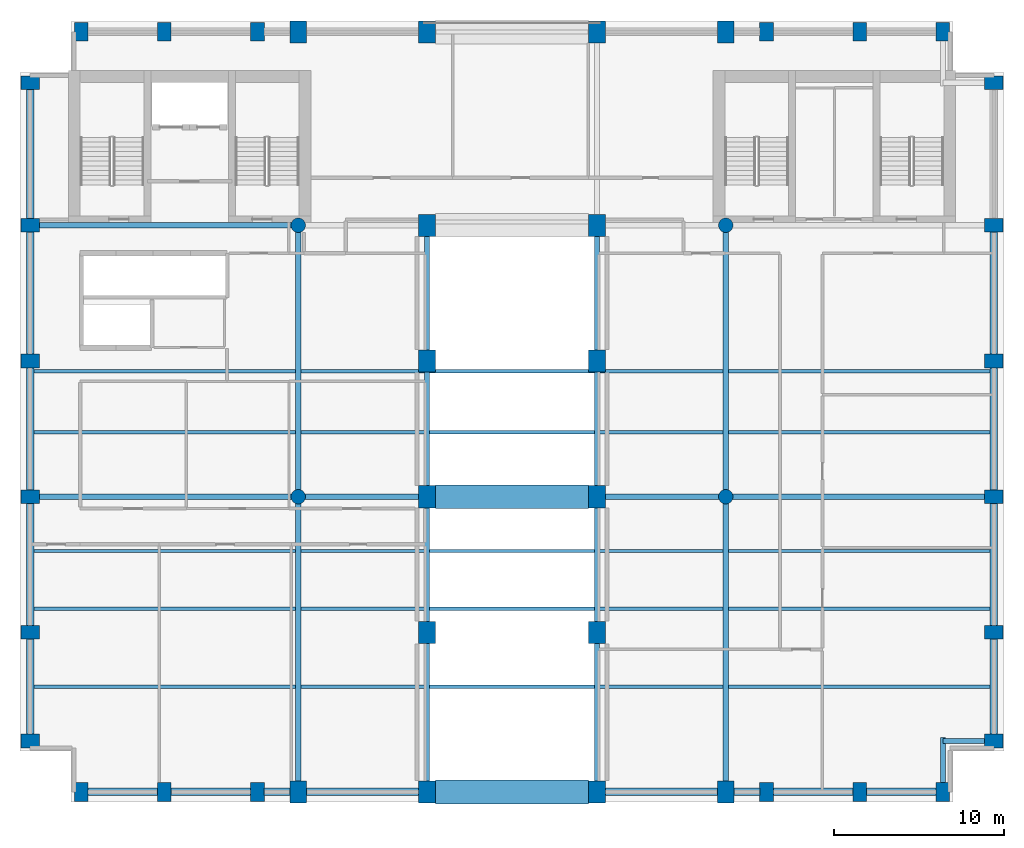
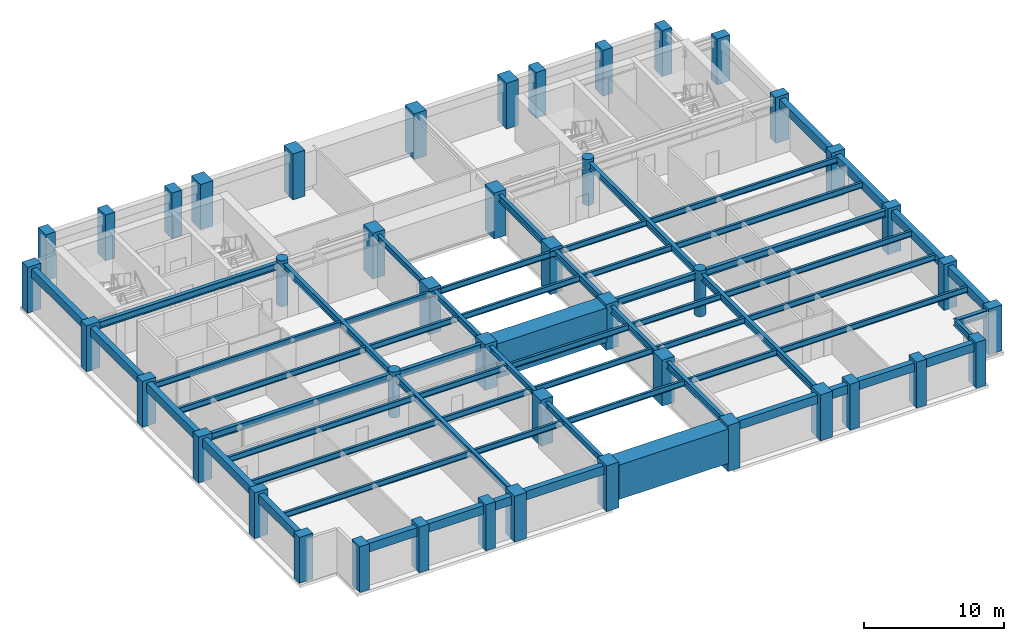
# One storey, part 1 of 7: 59 beams, 44 columns.
"""IFC4 building model written with IfcOpenShell, lengths in metres."""

from ifc_helpers import new_model, si_unit, direction, frame, origin, origin_2d, place, context, subcontext, project, spatial, rectangle, circle, i_section, extrude, material, material_profile, profile_set, type_object, element, save


model = new_model("IFC4")

# Units and contexts
model_context = context("Model", 3, precision=1e-05, world=origin(), true_north=direction((0.0, 1.0)))
body_context = subcontext(model_context, "Body", "Model", "MODEL_VIEW")
ifc_project = project(units=[si_unit("LENGTHUNIT", "METRE"), si_unit("AREAUNIT", "SQUARE_METRE"), si_unit("VOLUMEUNIT", "CUBIC_METRE"), si_unit("PLANEANGLEUNIT", "RADIAN"), si_unit("MASSUNIT", "GRAM", prefix="KILO")], contexts=[model_context])

# Site, building, storey
site_placement = place(None, origin())
site = spatial("IfcSite", under=ifc_project, at=site_placement, CompositionType="ELEMENT")
building_placement = place(site_placement, origin())
building = spatial("IfcBuilding", under=site, at=building_placement, Name="Sulina Concourse Tower", CompositionType="ELEMENT")
storey_placement = place(building_placement, frame((0.0, 0.0, 198.60009765625)))
storey = spatial("IfcBuildingStorey", under=building, at=storey_placement, Name="L48", CompositionType="ELEMENT", Elevation=198.60009765625)

# Columns
ifc_material_1 = material(Name="Precast concrete C60/75", Category="concrete")
ifc_material_profile_1 = material_profile(ifc_material_1, rectangle(XDim=0.800048828125, YDim=1.10009765625, at=origin_2d()), Name="PC 800x1100")
ifc_profile_set_1 = profile_set([ifc_material_profile_1], Name="Precast concrete C60/75")
column_type_1 = type_object("IfcColumnType", Name="Precast Tube Pier Zone 3 800x1100", PredefinedType="COLUMN", material=ifc_profile_set_1)
for number, where, z_axis, x_axis, name in (
    (1, (3.60009765625, 0.60009765625, 0.0), (0.0, 0.0, 1.0), (1.0, 0.0, 0.0), "L48 structural column TP-S-36"),
    (2, (3.60009765625, 45.39990234375, 0.0), (0.0, 0.0, 1.0), (1.0, 0.0, 0.0), "L48 structural column TP-N-36"),
    (3, (8.5, 0.60009765625, 0.0), (0.0, 0.0, 1.0), (1.0, 0.0, 0.0), "L48 structural column TP-S-85"),
    (4, (8.5, 45.39990234375, 0.0), (0.0, 0.0, 1.0), (1.0, 0.0, 0.0), "L48 structural column TP-N-85"),
    (5, (14.0, 0.60009765625, 0.0), (0.0, 0.0, 1.0), (1.0, 0.0, 0.0), "L48 structural column TP-S-140"),
    (6, (14.0, 45.39990234375, 0.0), (0.0, 0.0, 1.0), (1.0, 0.0, 0.0), "L48 structural column TP-N-140"),
    (7, (44.0, 0.60009765625, 0.0), (0.0, 0.0, 1.0), (1.0, 0.0, 0.0), "L48 structural column TP-S-440"),
    (8, (44.0, 45.39990234375, 0.0), (0.0, 0.0, 1.0), (1.0, 0.0, 0.0), "L48 structural column TP-N-440"),
    (9, (49.5, 0.60009765625, 0.0), (0.0, 0.0, 1.0), (1.0, 0.0, 0.0), "L48 structural column TP-S-495"),
    (10, (49.5, 45.39990234375, 0.0), (0.0, 0.0, 1.0), (1.0, 0.0, 0.0), "L48 structural column TP-N-495"),
    (11, (54.39990234375, 0.60009765625, 0.0), (0.0, 0.0, 1.0), (1.0, 0.0, 0.0), "L48 structural column TP-S-544"),
    (12, (54.39990234375, 45.39990234375, 0.0), (0.0, 0.0, 1.0), (1.0, 0.0, 0.0), "L48 structural column TP-N-544"),
    (13, (0.60009765625, 3.60009765625, 0.0), (0.0, 0.0, 1.0), (0.0, 1.0, 0.0), "L48 structural column TP-W-36"),
    (14, (57.39990234375, 3.60009765625, 0.0), (0.0, 0.0, 1.0), (0.0, 1.0, 0.0), "L48 structural column TP-E-36"),
    (15, (0.60009765625, 10.0, 0.0), (0.0, 0.0, 1.0), (0.0, 1.0, 0.0), "L48 structural column TP-W-100"),
    (16, (57.39990234375, 10.0, 0.0), (0.0, 0.0, 1.0), (0.0, 1.0, 0.0), "L48 structural column TP-E-100"),
    (17, (0.60009765625, 18.0, 0.0), (0.0, 0.0, 1.0), (0.0, 1.0, 0.0), "L48 structural column TP-W-180"),
    (18, (57.39990234375, 18.0, 0.0), (0.0, 0.0, 1.0), (0.0, 1.0, 0.0), "L48 structural column TP-E-180"),
    (19, (0.60009765625, 26.0, 0.0), (0.0, 0.0, 1.0), (0.0, 1.0, 0.0), "L48 structural column TP-W-260"),
    (20, (57.39990234375, 26.0, 0.0), (0.0, 0.0, 1.0), (0.0, 1.0, 0.0), "L48 structural column TP-E-260"),
    (21, (0.60009765625, 34.0, 0.0), (0.0, 0.0, 1.0), (0.0, 1.0, 0.0), "L48 structural column TP-W-340"),
    (22, (57.39990234375, 34.0, 0.0), (0.0, 0.0, 1.0), (0.0, 1.0, 0.0), "L48 structural column TP-E-340"),
    (23, (0.60009765625, 42.39990234375, 0.0), (0.0, 0.0, 1.0), (0.0, 1.0, 0.0), "L48 structural column TP-W-424"),
    (24, (57.39990234375, 42.39990234375, 0.0), (0.0, 0.0, 1.0), (0.0, 1.0, 0.0), "L48 structural column TP-E-424"),
):
    element("IfcColumn", number, at=place(storey_placement, frame(where, z_axis=z_axis, x_axis=x_axis)), inside=storey, type_object=column_type_1, Name=name, PredefinedType="COLUMN", context=body_context, shape_type="SweptSolid", body=[
        extrude(rectangle(XDim=0.800048828125, YDim=1.10009765625, at=origin_2d()), origin(), (0.0, 0.0, 1.0), 4.0),
    ])
ifc_material_2 = material(Name="Concrete C50/60", Category="concrete")
ifc_material_profile_2 = material_profile(ifc_material_2, circle(Radius=0.425048828125, at=origin_2d()), Name="RC D850")
ifc_profile_set_2 = profile_set([ifc_material_profile_2], Name="Concrete C50/60")
column_type_2 = type_object("IfcColumnType", Name="Upper Interior Circular Column D850", PredefinedType="COLUMN", material=ifc_profile_set_2)
for number, where, z_axis, x_axis, name in (
    (25, (16.39990234375, 18.0, 0.0), (0.0, 0.0, 1.0), (1.0, 0.0, 0.0), "L48 structural column IC-M-164"),
    (26, (16.39990234375, 34.0, 0.0), (0.0, 0.0, 1.0), (1.0, 0.0, 0.0), "L48 structural column IC-N-164"),
    (27, (41.60009765625, 18.0, 0.0), (0.0, 0.0, 1.0), (1.0, 0.0, 0.0), "L48 structural column IC-M-416"),
    (28, (41.60009765625, 34.0, 0.0), (0.0, 0.0, 1.0), (1.0, 0.0, 0.0), "L48 structural column IC-N-416"),
):
    element("IfcColumn", number, at=place(storey_placement, frame(where, z_axis=z_axis, x_axis=x_axis)), inside=storey, type_object=column_type_2, Name=name, PredefinedType="COLUMN", context=body_context, shape_type="SweptSolid", body=[
        extrude(circle(Radius=0.425048828125, at=origin_2d()), origin(), (0.0, 0.0, 1.0), 4.0),
    ])
ifc_material_3 = material(Name="Concrete C60/75", Category="concrete")
ifc_material_profile_3 = material_profile(ifc_material_3, rectangle(XDim=1.0, YDim=1.300048828125, at=origin_2d()), Name="RC 1000x1300")
ifc_profile_set_3 = profile_set([ifc_material_profile_3], Name="Concrete C60/75")
column_type_3 = type_object("IfcColumnType", Name="Upper Portal Column 1000x1300", PredefinedType="COLUMN", material=ifc_profile_set_3)
for number, where, z_axis, x_axis, name in (
    (29, (16.39990234375, 0.60009765625, 0.0), (0.0, 0.0, 1.0), (1.0, 0.0, 0.0), "L48 structural column TP-S-164"),
    (30, (16.39990234375, 45.39990234375, 0.0), (0.0, 0.0, 1.0), (1.0, 0.0, 0.0), "L48 structural column TP-N-164"),
    (31, (24.0, 0.60009765625, 0.0), (0.0, 0.0, 1.0), (1.0, 0.0, 0.0), "L48 structural column TP-S-240"),
    (32, (24.0, 45.39990234375, 0.0), (0.0, 0.0, 1.0), (1.0, 0.0, 0.0), "L48 structural column TP-N-240"),
    (33, (34.0, 0.60009765625, 0.0), (0.0, 0.0, 1.0), (1.0, 0.0, 0.0), "L48 structural column TP-S-340"),
    (34, (34.0, 45.39990234375, 0.0), (0.0, 0.0, 1.0), (1.0, 0.0, 0.0), "L48 structural column TP-N-340"),
    (35, (41.60009765625, 0.60009765625, 0.0), (0.0, 0.0, 1.0), (1.0, 0.0, 0.0), "L48 structural column TP-S-416"),
    (36, (41.60009765625, 45.39990234375, 0.0), (0.0, 0.0, 1.0), (1.0, 0.0, 0.0), "L48 structural column TP-N-416"),
    (37, (24.0, 10.0, 0.0), (0.0, 0.0, 1.0), (1.0, 0.0, 0.0), "L48 structural column UP-FW-10"),
    (38, (34.0, 10.0, 0.0), (0.0, 0.0, 1.0), (1.0, 0.0, 0.0), "L48 structural column UP-FE-10"),
    (39, (24.0, 18.0, 0.0), (0.0, 0.0, 1.0), (1.0, 0.0, 0.0), "L48 structural column UP-FW-18"),
    (40, (34.0, 18.0, 0.0), (0.0, 0.0, 1.0), (1.0, 0.0, 0.0), "L48 structural column UP-FE-18"),
    (41, (24.0, 26.0, 0.0), (0.0, 0.0, 1.0), (1.0, 0.0, 0.0), "L48 structural column UP-FW-26"),
    (42, (34.0, 26.0, 0.0), (0.0, 0.0, 1.0), (1.0, 0.0, 0.0), "L48 structural column UP-FE-26"),
    (43, (24.0, 34.0, 0.0), (0.0, 0.0, 1.0), (1.0, 0.0, 0.0), "L48 structural column UP-FW-34"),
    (44, (34.0, 34.0, 0.0), (0.0, 0.0, 1.0), (1.0, 0.0, 0.0), "L48 structural column UP-FE-34"),
):
    element("IfcColumn", number, at=place(storey_placement, frame(where, z_axis=z_axis, x_axis=x_axis)), inside=storey, type_object=column_type_3, Name=name, PredefinedType="COLUMN", context=body_context, shape_type="SweptSolid", body=[
        extrude(rectangle(XDim=1.0, YDim=1.300048828125, at=origin_2d()), origin(), (0.0, 0.0, 1.0), 4.0),
    ])

# Beams
ifc_material_4 = material(Name="Steel S355", Category="steel")
ifc_material_profile_4 = material_profile(ifc_material_4, i_section(OverallWidth=0.199951171875, OverallDepth=0.5, WebThickness=0.01025390625, FlangeThickness=0.01611328125, at=origin_2d()), Name="IPE 500")
ifc_profile_set_4 = profile_set([ifc_material_profile_4], Name="Steel S355")
beam_type_1 = type_object("IfcBeamType", Name="Composite Floor Joist IPE500", PredefinedType="JOIST", material=ifc_profile_set_4)
beam_1_placement = place(storey_placement, frame((0.824951171875, 6.800048828125, 3.5), z_axis=(1.0, 0.0, 0.0), x_axis=(0.0, 1.0, 0.0)))
element("IfcBeam", 45, at=beam_1_placement, inside=storey, type_object=beam_type_1, Name="FJ-J06-1-L48", PredefinedType="JOIST", context=body_context, shape_type="SweptSolid", body=[
    extrude(i_section(OverallWidth=0.199951171875, OverallDepth=0.5, WebThickness=0.01025390625, FlangeThickness=0.01611328125, at=origin_2d()), origin(), (0.0, 0.0, 1.0), 15.425048828125),
])
beam_2_placement = place(storey_placement, frame((16.550048828125, 6.800048828125, 3.5), z_axis=(1.0, 0.0, 0.0), x_axis=(0.0, 1.0, 0.0)))
element("IfcBeam", 46, at=beam_2_placement, inside=storey, type_object=beam_type_1, Name="FJ-J06-2-L48", PredefinedType="JOIST", context=body_context, shape_type="SweptSolid", body=[
    extrude(i_section(OverallWidth=0.199951171875, OverallDepth=0.5, WebThickness=0.01025390625, FlangeThickness=0.01611328125, at=origin_2d()), origin(), (0.0, 0.0, 1.0), 7.300048828125),
])
beam_3_placement = place(storey_placement, frame((24.14990234375, 6.800048828125, 3.5), z_axis=(1.0, 0.0, 0.0), x_axis=(0.0, 1.0, 0.0)))
element("IfcBeam", 47, at=beam_3_placement, inside=storey, type_object=beam_type_1, Name="FJ-J06-3-L48", PredefinedType="JOIST", context=body_context, shape_type="SweptSolid", body=[
    extrude(i_section(OverallWidth=0.199951171875, OverallDepth=0.5, WebThickness=0.01025390625, FlangeThickness=0.01611328125, at=origin_2d()), origin(), (0.0, 0.0, 1.0), 9.7001953125),
])
beam_4_placement = place(storey_placement, frame((34.14990234375, 6.800048828125, 3.5), z_axis=(1.0, 0.0, 0.0), x_axis=(0.0, 1.0, 0.0)))
element("IfcBeam", 48, at=beam_4_placement, inside=storey, type_object=beam_type_1, Name="FJ-J06-4-L48", PredefinedType="JOIST", context=body_context, shape_type="SweptSolid", body=[
    extrude(i_section(OverallWidth=0.199951171875, OverallDepth=0.5, WebThickness=0.01025390625, FlangeThickness=0.01611328125, at=origin_2d()), origin(), (0.0, 0.0, 1.0), 7.300048828125),
])
for number, where, z_axis, x_axis, name in (
    (49, (41.75, 6.800048828125, 3.5), (1.0, 0.0, 0.0), (0.0, 1.0, 0.0), "FJ-J06-5-L48"),
    (50, (0.824951171875, 11.39990234375, 3.5), (1.0, 0.0, 0.0), (0.0, 1.0, 0.0), "FJ-J11-1-L48"),
):
    element("IfcBeam", number, at=place(storey_placement, frame(where, z_axis=z_axis, x_axis=x_axis)), inside=storey, type_object=beam_type_1, Name=name, PredefinedType="JOIST", context=body_context, shape_type="SweptSolid", body=[
        extrude(i_section(OverallWidth=0.199951171875, OverallDepth=0.5, WebThickness=0.01025390625, FlangeThickness=0.01611328125, at=origin_2d()), origin(), (0.0, 0.0, 1.0), 15.425048828125),
    ])
beam_5_placement = place(storey_placement, frame((16.550048828125, 11.39990234375, 3.5), z_axis=(1.0, 0.0, 0.0), x_axis=(0.0, 1.0, 0.0)))
element("IfcBeam", 51, at=beam_5_placement, inside=storey, type_object=beam_type_1, Name="FJ-J11-2-L48", PredefinedType="JOIST", context=body_context, shape_type="SweptSolid", body=[
    extrude(i_section(OverallWidth=0.199951171875, OverallDepth=0.5, WebThickness=0.01025390625, FlangeThickness=0.01611328125, at=origin_2d()), origin(), (0.0, 0.0, 1.0), 7.300048828125),
])
beam_6_placement = place(storey_placement, frame((24.14990234375, 11.39990234375, 3.5), z_axis=(1.0, 0.0, 0.0), x_axis=(0.0, 1.0, 0.0)))
element("IfcBeam", 52, at=beam_6_placement, inside=storey, type_object=beam_type_1, Name="FJ-J11-3-L48", PredefinedType="JOIST", context=body_context, shape_type="SweptSolid", body=[
    extrude(i_section(OverallWidth=0.199951171875, OverallDepth=0.5, WebThickness=0.01025390625, FlangeThickness=0.01611328125, at=origin_2d()), origin(), (0.0, 0.0, 1.0), 9.7001953125),
])
beam_7_placement = place(storey_placement, frame((34.14990234375, 11.39990234375, 3.5), z_axis=(1.0, 0.0, 0.0), x_axis=(0.0, 1.0, 0.0)))
element("IfcBeam", 53, at=beam_7_placement, inside=storey, type_object=beam_type_1, Name="FJ-J11-4-L48", PredefinedType="JOIST", context=body_context, shape_type="SweptSolid", body=[
    extrude(i_section(OverallWidth=0.199951171875, OverallDepth=0.5, WebThickness=0.01025390625, FlangeThickness=0.01611328125, at=origin_2d()), origin(), (0.0, 0.0, 1.0), 7.300048828125),
])
for number, where, z_axis, x_axis, name in (
    (54, (41.75, 11.39990234375, 3.5), (1.0, 0.0, 0.0), (0.0, 1.0, 0.0), "FJ-J11-5-L48"),
    (55, (0.824951171875, 14.800048828125, 3.5), (1.0, 0.0, 0.0), (0.0, 1.0, 0.0), "FJ-J15-1-L48"),
):
    element("IfcBeam", number, at=place(storey_placement, frame(where, z_axis=z_axis, x_axis=x_axis)), inside=storey, type_object=beam_type_1, Name=name, PredefinedType="JOIST", context=body_context, shape_type="SweptSolid", body=[
        extrude(i_section(OverallWidth=0.199951171875, OverallDepth=0.5, WebThickness=0.01025390625, FlangeThickness=0.01611328125, at=origin_2d()), origin(), (0.0, 0.0, 1.0), 15.425048828125),
    ])
beam_8_placement = place(storey_placement, frame((16.550048828125, 14.800048828125, 3.5), z_axis=(1.0, 0.0, 0.0), x_axis=(0.0, 1.0, 0.0)))
element("IfcBeam", 56, at=beam_8_placement, inside=storey, type_object=beam_type_1, Name="FJ-J15-2-L48", PredefinedType="JOIST", context=body_context, shape_type="SweptSolid", body=[
    extrude(i_section(OverallWidth=0.199951171875, OverallDepth=0.5, WebThickness=0.01025390625, FlangeThickness=0.01611328125, at=origin_2d()), origin(), (0.0, 0.0, 1.0), 7.300048828125),
])
beam_9_placement = place(storey_placement, frame((24.14990234375, 14.800048828125, 3.5), z_axis=(1.0, 0.0, 0.0), x_axis=(0.0, 1.0, 0.0)))
element("IfcBeam", 57, at=beam_9_placement, inside=storey, type_object=beam_type_1, Name="FJ-J15-3-L48", PredefinedType="JOIST", context=body_context, shape_type="SweptSolid", body=[
    extrude(i_section(OverallWidth=0.199951171875, OverallDepth=0.5, WebThickness=0.01025390625, FlangeThickness=0.01611328125, at=origin_2d()), origin(), (0.0, 0.0, 1.0), 9.7001953125),
])
beam_10_placement = place(storey_placement, frame((34.14990234375, 14.800048828125, 3.5), z_axis=(1.0, 0.0, 0.0), x_axis=(0.0, 1.0, 0.0)))
element("IfcBeam", 58, at=beam_10_placement, inside=storey, type_object=beam_type_1, Name="FJ-J15-4-L48", PredefinedType="JOIST", context=body_context, shape_type="SweptSolid", body=[
    extrude(i_section(OverallWidth=0.199951171875, OverallDepth=0.5, WebThickness=0.01025390625, FlangeThickness=0.01611328125, at=origin_2d()), origin(), (0.0, 0.0, 1.0), 7.300048828125),
])
for number, where, z_axis, x_axis, name in (
    (59, (41.75, 14.800048828125, 3.5), (1.0, 0.0, 0.0), (0.0, 1.0, 0.0), "FJ-J15-5-L48"),
    (60, (0.824951171875, 21.800048828125, 3.5), (1.0, 0.0, 0.0), (0.0, 1.0, 0.0), "FJ-J22-1-L48"),
):
    element("IfcBeam", number, at=place(storey_placement, frame(where, z_axis=z_axis, x_axis=x_axis)), inside=storey, type_object=beam_type_1, Name=name, PredefinedType="JOIST", context=body_context, shape_type="SweptSolid", body=[
        extrude(i_section(OverallWidth=0.199951171875, OverallDepth=0.5, WebThickness=0.01025390625, FlangeThickness=0.01611328125, at=origin_2d()), origin(), (0.0, 0.0, 1.0), 15.425048828125),
    ])
beam_11_placement = place(storey_placement, frame((16.550048828125, 21.800048828125, 3.5), z_axis=(1.0, 0.0, 0.0), x_axis=(0.0, 1.0, 0.0)))
element("IfcBeam", 61, at=beam_11_placement, inside=storey, type_object=beam_type_1, Name="FJ-J22-2-L48", PredefinedType="JOIST", context=body_context, shape_type="SweptSolid", body=[
    extrude(i_section(OverallWidth=0.199951171875, OverallDepth=0.5, WebThickness=0.01025390625, FlangeThickness=0.01611328125, at=origin_2d()), origin(), (0.0, 0.0, 1.0), 7.300048828125),
])
beam_12_placement = place(storey_placement, frame((24.14990234375, 21.800048828125, 3.5), z_axis=(1.0, 0.0, 0.0), x_axis=(0.0, 1.0, 0.0)))
element("IfcBeam", 62, at=beam_12_placement, inside=storey, type_object=beam_type_1, Name="FJ-J22-3-L48", PredefinedType="JOIST", context=body_context, shape_type="SweptSolid", body=[
    extrude(i_section(OverallWidth=0.199951171875, OverallDepth=0.5, WebThickness=0.01025390625, FlangeThickness=0.01611328125, at=origin_2d()), origin(), (0.0, 0.0, 1.0), 9.7001953125),
])
beam_13_placement = place(storey_placement, frame((34.14990234375, 21.800048828125, 3.5), z_axis=(1.0, 0.0, 0.0), x_axis=(0.0, 1.0, 0.0)))
element("IfcBeam", 63, at=beam_13_placement, inside=storey, type_object=beam_type_1, Name="FJ-J22-4-L48", PredefinedType="JOIST", context=body_context, shape_type="SweptSolid", body=[
    extrude(i_section(OverallWidth=0.199951171875, OverallDepth=0.5, WebThickness=0.01025390625, FlangeThickness=0.01611328125, at=origin_2d()), origin(), (0.0, 0.0, 1.0), 7.300048828125),
])
for number, where, z_axis, x_axis, name in (
    (64, (41.75, 21.800048828125, 3.5), (1.0, 0.0, 0.0), (0.0, 1.0, 0.0), "FJ-J22-5-L48"),
    (65, (0.824951171875, 25.39990234375, 3.5), (1.0, 0.0, 0.0), (0.0, 1.0, 0.0), "FJ-J25-1-L48"),
):
    element("IfcBeam", number, at=place(storey_placement, frame(where, z_axis=z_axis, x_axis=x_axis)), inside=storey, type_object=beam_type_1, Name=name, PredefinedType="JOIST", context=body_context, shape_type="SweptSolid", body=[
        extrude(i_section(OverallWidth=0.199951171875, OverallDepth=0.5, WebThickness=0.01025390625, FlangeThickness=0.01611328125, at=origin_2d()), origin(), (0.0, 0.0, 1.0), 15.425048828125),
    ])
beam_14_placement = place(storey_placement, frame((16.550048828125, 25.39990234375, 3.5), z_axis=(1.0, 0.0, 0.0), x_axis=(0.0, 1.0, 0.0)))
element("IfcBeam", 66, at=beam_14_placement, inside=storey, type_object=beam_type_1, Name="FJ-J25-2-L48", PredefinedType="JOIST", context=body_context, shape_type="SweptSolid", body=[
    extrude(i_section(OverallWidth=0.199951171875, OverallDepth=0.5, WebThickness=0.01025390625, FlangeThickness=0.01611328125, at=origin_2d()), origin(), (0.0, 0.0, 1.0), 7.300048828125),
])
beam_15_placement = place(storey_placement, frame((24.14990234375, 25.39990234375, 3.5), z_axis=(1.0, 0.0, 0.0), x_axis=(0.0, 1.0, 0.0)))
element("IfcBeam", 67, at=beam_15_placement, inside=storey, type_object=beam_type_1, Name="FJ-J25-3-L48", PredefinedType="JOIST", context=body_context, shape_type="SweptSolid", body=[
    extrude(i_section(OverallWidth=0.199951171875, OverallDepth=0.5, WebThickness=0.01025390625, FlangeThickness=0.01611328125, at=origin_2d()), origin(), (0.0, 0.0, 1.0), 9.7001953125),
])
beam_16_placement = place(storey_placement, frame((34.14990234375, 25.39990234375, 3.5), z_axis=(1.0, 0.0, 0.0), x_axis=(0.0, 1.0, 0.0)))
element("IfcBeam", 68, at=beam_16_placement, inside=storey, type_object=beam_type_1, Name="FJ-J25-4-L48", PredefinedType="JOIST", context=body_context, shape_type="SweptSolid", body=[
    extrude(i_section(OverallWidth=0.199951171875, OverallDepth=0.5, WebThickness=0.01025390625, FlangeThickness=0.01611328125, at=origin_2d()), origin(), (0.0, 0.0, 1.0), 7.300048828125),
])
beam_17_placement = place(storey_placement, frame((41.75, 25.39990234375, 3.5), z_axis=(1.0, 0.0, 0.0), x_axis=(0.0, 1.0, 0.0)))
element("IfcBeam", 69, at=beam_17_placement, inside=storey, type_object=beam_type_1, Name="FJ-J25-5-L48", PredefinedType="JOIST", context=body_context, shape_type="SweptSolid", body=[
    extrude(i_section(OverallWidth=0.199951171875, OverallDepth=0.5, WebThickness=0.01025390625, FlangeThickness=0.01611328125, at=origin_2d()), origin(), (0.0, 0.0, 1.0), 15.425048828125),
])
ifc_material_5 = material(Name="Steel S355", Category="steel")
ifc_material_profile_5 = material_profile(ifc_material_5, i_section(OverallWidth=0.300048828125, OverallDepth=0.60009765625, WebThickness=0.015380859375, FlangeThickness=0.030029296875, at=origin_2d()), Name="HE 600 B")
ifc_profile_set_5 = profile_set([ifc_material_profile_5], Name="Steel S355")
beam_type_2 = type_object("IfcBeamType", Name="Floor Primary Girder Zone 3 HE600B", PredefinedType="BEAM", material=ifc_profile_set_5)
beam_18_placement = place(storey_placement, frame((54.39990234375, 3.60009765625, 3.449951171875), z_axis=(1.0, 0.0, 0.0), x_axis=(0.0, 1.0, 0.0)))
element("IfcBeam", 70, at=beam_18_placement, inside=storey, type_object=beam_type_2, Name="TIE-SE-L48", PredefinedType="BEAM", context=body_context, shape_type="SweptSolid", body=[
    extrude(i_section(OverallWidth=0.300048828125, OverallDepth=0.60009765625, WebThickness=0.015380859375, FlangeThickness=0.030029296875, at=origin_2d()), origin(), (0.0, 0.0, 1.0), 2.6201171875),
])
beam_19_placement = place(storey_placement, frame((54.39990234375, 0.97998046875, 3.449951171875), z_axis=(0.0, 1.0, 0.0), x_axis=(-1.0, 0.0, 0.0)))
element("IfcBeam", 71, at=beam_19_placement, inside=storey, type_object=beam_type_2, Name="TIE-SES-L48", PredefinedType="BEAM", context=body_context, shape_type="SweptSolid", body=[
    extrude(i_section(OverallWidth=0.300048828125, OverallDepth=0.60009765625, WebThickness=0.015380859375, FlangeThickness=0.030029296875, at=origin_2d()), origin(), (0.0, 0.0, 1.0), 2.820068359375),
])
beam_20_placement = place(storey_placement, frame((0.97998046875, 18.0, 3.449951171875), z_axis=(1.0, 0.0, 0.0), x_axis=(0.0, 1.0, 0.0)))
element("IfcBeam", 72, at=beam_20_placement, inside=storey, type_object=beam_type_2, Name="FG-EW1-L48", PredefinedType="BEAM", context=body_context, shape_type="SweptSolid", body=[
    extrude(i_section(OverallWidth=0.300048828125, OverallDepth=0.60009765625, WebThickness=0.015380859375, FlangeThickness=0.030029296875, at=origin_2d()), origin(), (0.0, 0.0, 1.0), 15.01513671875),
])
for number, where, z_axis, x_axis, name in (
    (73, (16.804931640625, 18.0, 3.449951171875), (1.0, 0.0, 0.0), (0.0, 1.0, 0.0), "FG-EW2-L48"),
    (74, (34.47998046875, 18.0, 3.449951171875), (1.0, 0.0, 0.0), (0.0, 1.0, 0.0), "FG-EW4-L48"),
):
    element("IfcBeam", number, at=place(storey_placement, frame(where, z_axis=z_axis, x_axis=x_axis)), inside=storey, type_object=beam_type_2, Name=name, PredefinedType="BEAM", context=body_context, shape_type="SweptSolid", body=[
        extrude(i_section(OverallWidth=0.300048828125, OverallDepth=0.60009765625, WebThickness=0.015380859375, FlangeThickness=0.030029296875, at=origin_2d()), origin(), (0.0, 0.0, 1.0), 6.715087890625),
    ])
for number, where, z_axis, x_axis, name in (
    (75, (42.0048828125, 18.0, 3.449951171875), (1.0, 0.0, 0.0), (0.0, 1.0, 0.0), "FG-EW5-L48"),
    (76, (0.97998046875, 34.0, 3.449951171875), (1.0, 0.0, 0.0), (0.0, 1.0, 0.0), "FG-EWN1-L48"),
):
    element("IfcBeam", number, at=place(storey_placement, frame(where, z_axis=z_axis, x_axis=x_axis)), inside=storey, type_object=beam_type_2, Name=name, PredefinedType="BEAM", context=body_context, shape_type="SweptSolid", body=[
        extrude(i_section(OverallWidth=0.300048828125, OverallDepth=0.60009765625, WebThickness=0.015380859375, FlangeThickness=0.030029296875, at=origin_2d()), origin(), (0.0, 0.0, 1.0), 15.01513671875),
    ])
beam_21_placement = place(storey_placement, frame((16.39990234375, 1.080078125, 3.449951171875), z_axis=(0.0, 1.0, 0.0), x_axis=(-1.0, 0.0, 0.0)))
element("IfcBeam", 77, at=beam_21_placement, inside=storey, type_object=beam_type_2, Name="FG-NSA-16-L48", PredefinedType="BEAM", context=body_context, shape_type="SweptSolid", body=[
    extrude(i_section(OverallWidth=0.300048828125, OverallDepth=0.60009765625, WebThickness=0.015380859375, FlangeThickness=0.030029296875, at=origin_2d()), origin(), (0.0, 0.0, 1.0), 16.514892578125),
])
beam_22_placement = place(storey_placement, frame((16.39990234375, 18.405029296875, 3.449951171875), z_axis=(0.0, 1.0, 0.0), x_axis=(-1.0, 0.0, 0.0)))
element("IfcBeam", 78, at=beam_22_placement, inside=storey, type_object=beam_type_2, Name="FG-NSB-16-L48", PredefinedType="BEAM", context=body_context, shape_type="SweptSolid", body=[
    extrude(i_section(OverallWidth=0.300048828125, OverallDepth=0.60009765625, WebThickness=0.015380859375, FlangeThickness=0.030029296875, at=origin_2d()), origin(), (0.0, 0.0, 1.0), 15.18994140625),
])
beam_23_placement = place(storey_placement, frame((24.0, 1.080078125, 3.449951171875), z_axis=(0.0, 1.0, 0.0), x_axis=(-1.0, 0.0, 0.0)))
element("IfcBeam", 79, at=beam_23_placement, inside=storey, type_object=beam_type_2, Name="FG-NSA-24-L48", PredefinedType="BEAM", context=body_context, shape_type="SweptSolid", body=[
    extrude(i_section(OverallWidth=0.300048828125, OverallDepth=0.60009765625, WebThickness=0.015380859375, FlangeThickness=0.030029296875, at=origin_2d()), origin(), (0.0, 0.0, 1.0), 16.43994140625),
])
beam_24_placement = place(storey_placement, frame((24.0, 18.47998046875, 3.449951171875), z_axis=(0.0, 1.0, 0.0), x_axis=(-1.0, 0.0, 0.0)))
element("IfcBeam", 80, at=beam_24_placement, inside=storey, type_object=beam_type_2, Name="FG-NSB-24-L48", PredefinedType="BEAM", context=body_context, shape_type="SweptSolid", body=[
    extrude(i_section(OverallWidth=0.300048828125, OverallDepth=0.60009765625, WebThickness=0.015380859375, FlangeThickness=0.030029296875, at=origin_2d()), origin(), (0.0, 0.0, 1.0), 15.0400390625),
])
beam_25_placement = place(storey_placement, frame((34.0, 1.080078125, 3.449951171875), z_axis=(0.0, 1.0, 0.0), x_axis=(-1.0, 0.0, 0.0)))
element("IfcBeam", 81, at=beam_25_placement, inside=storey, type_object=beam_type_2, Name="FG-NSA-34-L48", PredefinedType="BEAM", context=body_context, shape_type="SweptSolid", body=[
    extrude(i_section(OverallWidth=0.300048828125, OverallDepth=0.60009765625, WebThickness=0.015380859375, FlangeThickness=0.030029296875, at=origin_2d()), origin(), (0.0, 0.0, 1.0), 16.43994140625),
])
beam_26_placement = place(storey_placement, frame((34.0, 18.47998046875, 3.449951171875), z_axis=(0.0, 1.0, 0.0), x_axis=(-1.0, 0.0, 0.0)))
element("IfcBeam", 82, at=beam_26_placement, inside=storey, type_object=beam_type_2, Name="FG-NSB-34-L48", PredefinedType="BEAM", context=body_context, shape_type="SweptSolid", body=[
    extrude(i_section(OverallWidth=0.300048828125, OverallDepth=0.60009765625, WebThickness=0.015380859375, FlangeThickness=0.030029296875, at=origin_2d()), origin(), (0.0, 0.0, 1.0), 15.0400390625),
])
beam_27_placement = place(storey_placement, frame((41.60009765625, 1.080078125, 3.449951171875), z_axis=(0.0, 1.0, 0.0), x_axis=(-1.0, 0.0, 0.0)))
element("IfcBeam", 83, at=beam_27_placement, inside=storey, type_object=beam_type_2, Name="FG-NSA-41-L48", PredefinedType="BEAM", context=body_context, shape_type="SweptSolid", body=[
    extrude(i_section(OverallWidth=0.300048828125, OverallDepth=0.60009765625, WebThickness=0.015380859375, FlangeThickness=0.030029296875, at=origin_2d()), origin(), (0.0, 0.0, 1.0), 16.514892578125),
])
beam_28_placement = place(storey_placement, frame((41.60009765625, 18.405029296875, 3.449951171875), z_axis=(0.0, 1.0, 0.0), x_axis=(-1.0, 0.0, 0.0)))
element("IfcBeam", 84, at=beam_28_placement, inside=storey, type_object=beam_type_2, Name="FG-NSB-41-L48", PredefinedType="BEAM", context=body_context, shape_type="SweptSolid", body=[
    extrude(i_section(OverallWidth=0.300048828125, OverallDepth=0.60009765625, WebThickness=0.015380859375, FlangeThickness=0.030029296875, at=origin_2d()), origin(), (0.0, 0.0, 1.0), 15.18994140625),
])
ifc_material_6 = material(Name="Concrete C60/75", Category="concrete")
ifc_material_profile_6 = material_profile(ifc_material_6, rectangle(XDim=1.39990234375, YDim=3.0, at=origin_2d()), Name="RC 1400x3000")
ifc_profile_set_6 = profile_set([ifc_material_profile_6], Name="Concrete C60/75")
beam_type_3 = type_object("IfcBeamType", Name="Station Podium Transfer Girder 1400x3000", PredefinedType="BEAM", material=ifc_profile_set_6)
for number, where, z_axis, x_axis, name in (
    (85, (24.47998046875, 0.60009765625, 2.25), (1.0, 0.0, 0.0), (0.0, 1.0, 0.0), "TG-PCAP-S5-L48"),
    (86, (24.47998046875, 18.0, 2.25), (1.0, 0.0, 0.0), (0.0, 1.0, 0.0), "TG-EW-M3-L48"),
):
    element("IfcBeam", number, at=place(storey_placement, frame(where, z_axis=z_axis, x_axis=x_axis)), inside=storey, type_object=beam_type_3, Name=name, PredefinedType="BEAM", context=body_context, shape_type="SweptSolid", body=[
        extrude(rectangle(XDim=1.39990234375, YDim=3.0, at=origin_2d()), origin(), (0.0, 0.0, 1.0), 9.0400390625),
    ])
ifc_material_7 = material(Name="Precast concrete C50/60", Category="concrete")
ifc_material_profile_7 = material_profile(ifc_material_7, rectangle(XDim=0.449951171875, YDim=0.75, at=origin_2d()), Name="RC 450x750")
ifc_profile_set_7 = profile_set([ifc_material_profile_7], Name="Precast concrete C50/60")
beam_type_4 = type_object("IfcBeamType", Name="Upper Precast Spandrel Edge Beam 450x750", PredefinedType="BEAM", material=ifc_profile_set_7)
beam_29_placement = place(storey_placement, frame((3.97998046875, 0.60009765625, 3.375), z_axis=(1.0, 0.0, 0.0), x_axis=(0.0, 1.0, 0.0)))
element("IfcBeam", 87, at=beam_29_placement, inside=storey, type_object=beam_type_4, Name="SP-S1-L48", PredefinedType="BEAM", context=body_context, shape_type="SweptSolid", body=[
    extrude(rectangle(XDim=0.449951171875, YDim=0.75, at=origin_2d()), origin(), (0.0, 0.0, 1.0), 4.14013671875),
])
beam_30_placement = place(storey_placement, frame((8.8798828125, 0.60009765625, 3.375), z_axis=(1.0, 0.0, 0.0), x_axis=(0.0, 1.0, 0.0)))
element("IfcBeam", 88, at=beam_30_placement, inside=storey, type_object=beam_type_4, Name="SP-S2-L48", PredefinedType="BEAM", context=body_context, shape_type="SweptSolid", body=[
    extrude(rectangle(XDim=0.449951171875, YDim=0.75, at=origin_2d()), origin(), (0.0, 0.0, 1.0), 4.740234375),
])
beam_31_placement = place(storey_placement, frame((14.3798828125, 0.60009765625, 3.375), z_axis=(1.0, 0.0, 0.0), x_axis=(0.0, 1.0, 0.0)))
element("IfcBeam", 89, at=beam_31_placement, inside=storey, type_object=beam_type_4, Name="SP-S3-L48", PredefinedType="BEAM", context=body_context, shape_type="SweptSolid", body=[
    extrude(rectangle(XDim=0.449951171875, YDim=0.75, at=origin_2d()), origin(), (0.0, 0.0, 1.0), 1.5400390625),
])
for number, where, z_axis, x_axis, name in (
    (90, (16.8798828125, 0.60009765625, 3.375), (1.0, 0.0, 0.0), (0.0, 1.0, 0.0), "SP-S4-L48"),
    (91, (34.47998046875, 0.60009765625, 3.375), (1.0, 0.0, 0.0), (0.0, 1.0, 0.0), "SP-S6-L48"),
):
    element("IfcBeam", number, at=place(storey_placement, frame(where, z_axis=z_axis, x_axis=x_axis)), inside=storey, type_object=beam_type_4, Name=name, PredefinedType="BEAM", context=body_context, shape_type="SweptSolid", body=[
        extrude(rectangle(XDim=0.449951171875, YDim=0.75, at=origin_2d()), origin(), (0.0, 0.0, 1.0), 6.64013671875),
    ])
beam_32_placement = place(storey_placement, frame((42.080078125, 0.60009765625, 3.375), z_axis=(1.0, 0.0, 0.0), x_axis=(0.0, 1.0, 0.0)))
element("IfcBeam", 92, at=beam_32_placement, inside=storey, type_object=beam_type_4, Name="SP-S7-L48", PredefinedType="BEAM", context=body_context, shape_type="SweptSolid", body=[
    extrude(rectangle(XDim=0.449951171875, YDim=0.75, at=origin_2d()), origin(), (0.0, 0.0, 1.0), 1.5400390625),
])
beam_33_placement = place(storey_placement, frame((44.3798828125, 0.60009765625, 3.375), z_axis=(1.0, 0.0, 0.0), x_axis=(0.0, 1.0, 0.0)))
element("IfcBeam", 93, at=beam_33_placement, inside=storey, type_object=beam_type_4, Name="SP-S8-L48", PredefinedType="BEAM", context=body_context, shape_type="SweptSolid", body=[
    extrude(rectangle(XDim=0.449951171875, YDim=0.75, at=origin_2d()), origin(), (0.0, 0.0, 1.0), 4.740234375),
])
beam_34_placement = place(storey_placement, frame((49.8798828125, 0.60009765625, 3.375), z_axis=(1.0, 0.0, 0.0), x_axis=(0.0, 1.0, 0.0)))
element("IfcBeam", 94, at=beam_34_placement, inside=storey, type_object=beam_type_4, Name="SP-S9-L48", PredefinedType="BEAM", context=body_context, shape_type="SweptSolid", body=[
    extrude(rectangle(XDim=0.449951171875, YDim=0.75, at=origin_2d()), origin(), (0.0, 0.0, 1.0), 4.14013671875),
])
beam_35_placement = place(storey_placement, frame((0.60009765625, 3.97998046875, 3.375), z_axis=(0.0, 1.0, 0.0), x_axis=(-1.0, 0.0, 0.0)))
element("IfcBeam", 95, at=beam_35_placement, inside=storey, type_object=beam_type_4, Name="SP-W1-L48", PredefinedType="BEAM", context=body_context, shape_type="SweptSolid", body=[
    extrude(rectangle(XDim=0.449951171875, YDim=0.75, at=origin_2d()), origin(), (0.0, 0.0, 1.0), 5.64013671875),
])
for number, where, z_axis, x_axis, name in (
    (96, (0.60009765625, 10.3798828125, 3.375), (0.0, 1.0, 0.0), (-1.0, 0.0, 0.0), "SP-W2-L48"),
    (97, (0.60009765625, 18.3798828125, 3.375), (0.0, 1.0, 0.0), (-1.0, 0.0, 0.0), "SP-W3-L48"),
    (98, (0.60009765625, 26.3798828125, 3.375), (0.0, 1.0, 0.0), (-1.0, 0.0, 0.0), "SP-W4-L48"),
):
    element("IfcBeam", number, at=place(storey_placement, frame(where, z_axis=z_axis, x_axis=x_axis)), inside=storey, type_object=beam_type_4, Name=name, PredefinedType="BEAM", context=body_context, shape_type="SweptSolid", body=[
        extrude(rectangle(XDim=0.449951171875, YDim=0.75, at=origin_2d()), origin(), (0.0, 0.0, 1.0), 7.240234375),
    ])
beam_36_placement = place(storey_placement, frame((0.60009765625, 34.3798828125, 3.375), z_axis=(0.0, 1.0, 0.0), x_axis=(-1.0, 0.0, 0.0)))
element("IfcBeam", 99, at=beam_36_placement, inside=storey, type_object=beam_type_4, Name="SP-W5-L48", PredefinedType="BEAM", context=body_context, shape_type="SweptSolid", body=[
    extrude(rectangle(XDim=0.449951171875, YDim=0.75, at=origin_2d()), origin(), (0.0, 0.0, 1.0), 7.64013671875),
])
beam_37_placement = place(storey_placement, frame((57.39990234375, 3.97998046875, 3.375), z_axis=(0.0, 1.0, 0.0), x_axis=(-1.0, 0.0, 0.0)))
element("IfcBeam", 100, at=beam_37_placement, inside=storey, type_object=beam_type_4, Name="SP-E1-L48", PredefinedType="BEAM", context=body_context, shape_type="SweptSolid", body=[
    extrude(rectangle(XDim=0.449951171875, YDim=0.75, at=origin_2d()), origin(), (0.0, 0.0, 1.0), 5.64013671875),
])
for number, where, z_axis, x_axis, name in (
    (101, (57.39990234375, 10.3798828125, 3.375), (0.0, 1.0, 0.0), (-1.0, 0.0, 0.0), "SP-E2-L48"),
    (102, (57.39990234375, 18.3798828125, 3.375), (0.0, 1.0, 0.0), (-1.0, 0.0, 0.0), "SP-E3-L48"),
    (103, (57.39990234375, 26.3798828125, 3.375), (0.0, 1.0, 0.0), (-1.0, 0.0, 0.0), "SP-E4-L48"),
):
    element("IfcBeam", number, at=place(storey_placement, frame(where, z_axis=z_axis, x_axis=x_axis)), inside=storey, type_object=beam_type_4, Name=name, PredefinedType="BEAM", context=body_context, shape_type="SweptSolid", body=[
        extrude(rectangle(XDim=0.449951171875, YDim=0.75, at=origin_2d()), origin(), (0.0, 0.0, 1.0), 7.240234375),
    ])

save(model, "model.ifc")
